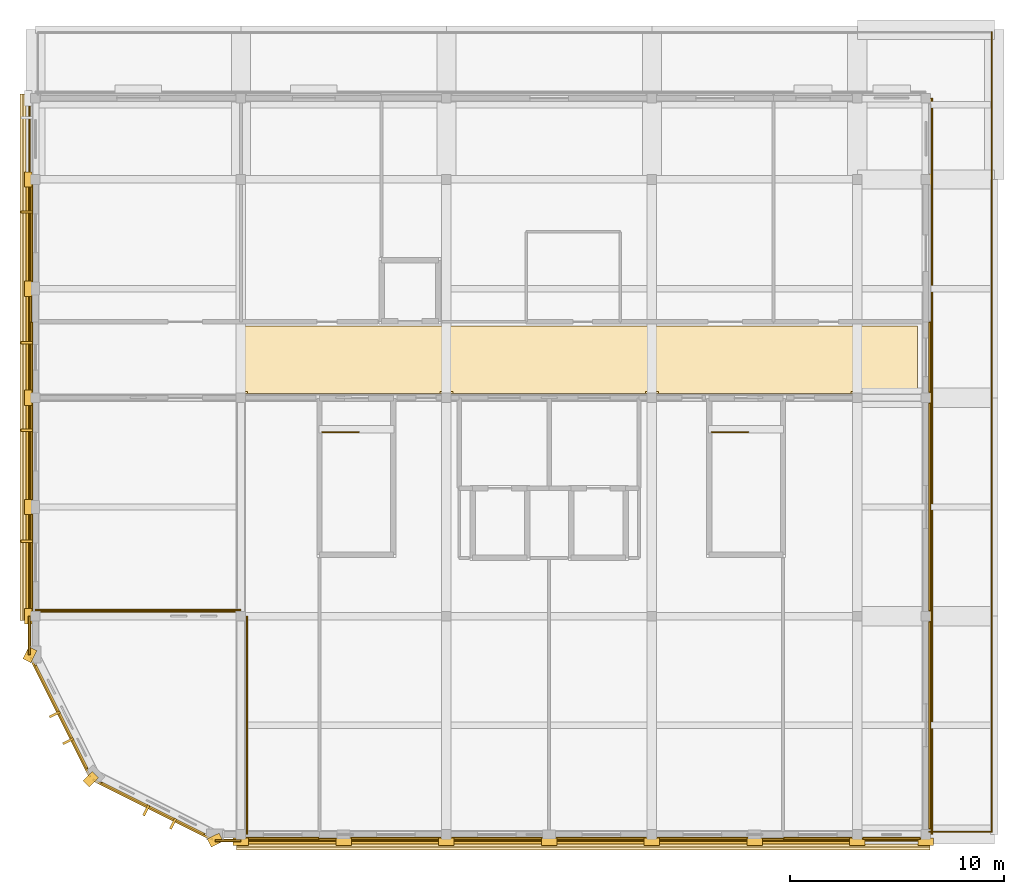
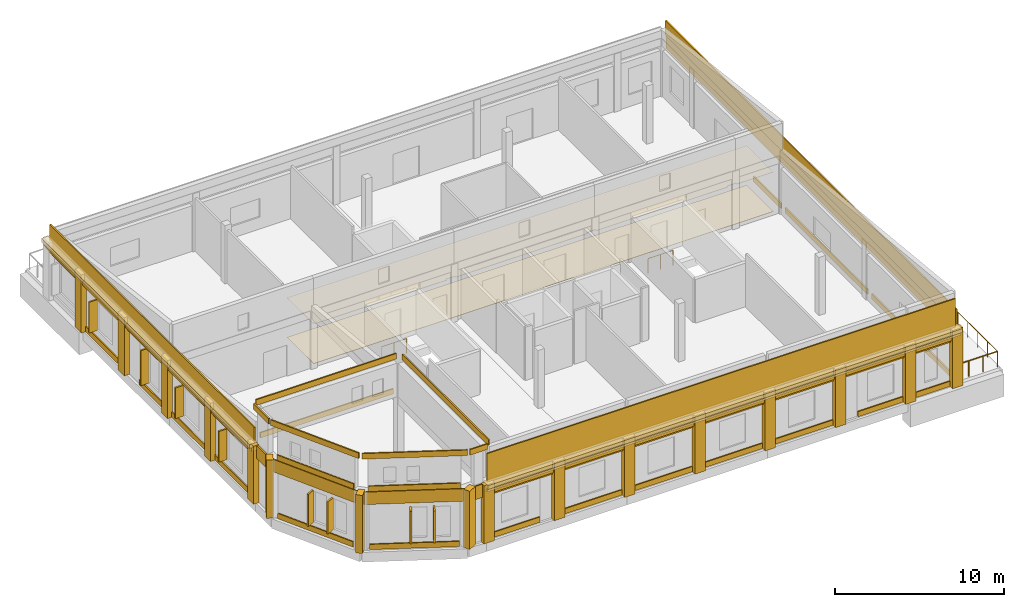
# One storey, part 7 of 8: 57 coverings, 8 shading devices, 4 railings.
"""IFC4 building model written with IfcOpenShell, lengths in metres."""

from ifc_helpers import new_model, si_unit, direction, frame, origin, origin_2d, place, context, subcontext, project, spatial, polyline, rectangle, circle, outline, extrude, material, layer, layer_set, type_object, element, save


model = new_model("IFC4")

# Units and contexts
model_context = context("Model", 3, precision=1e-05, world=origin(), true_north=direction((0.0, 1.0)))
body_context = subcontext(model_context, "Body", "Model", "MODEL_VIEW")
ifc_project = project(units=[si_unit("LENGTHUNIT", "METRE"), si_unit("AREAUNIT", "SQUARE_METRE"), si_unit("VOLUMEUNIT", "CUBIC_METRE"), si_unit("PLANEANGLEUNIT", "RADIAN"), si_unit("MASSUNIT", "GRAM", prefix="KILO")], contexts=[model_context])

# Site, building, storey
site_placement = place(None, origin())
site = spatial("IfcSite", under=ifc_project, at=site_placement, CompositionType="ELEMENT")
building_placement = place(site_placement, origin())
building = spatial("IfcBuilding", under=site, at=building_placement, Name="Vondelvale Polytechnic", CompositionType="ELEMENT")
storey_placement = place(building_placement, frame((0.0, 0.0, 30.60009765625)))
storey = spatial("IfcBuildingStorey", under=building, at=storey_placement, Name="L07", CompositionType="ELEMENT", Elevation=30.60009765625)

# Coverings
ifc_material_1 = material(Name="Amsterdam School iron-spot clinker clay brickwork", Category="masonry")
ifc_layer_1 = layer(ifc_material_1, 0.090087890625)
ifc_layer_set_1 = layer_set([ifc_layer_1], Name="COV-BRICK-RELIEF")
covering_type_1 = type_object("IfcCoveringType", Name="COV-BRICK-RELIEF", PredefinedType="CLADDING", material=ifc_layer_set_1)
covering_1_placement = place(storey_placement, frame((25.0, -0.264892578125, 3.239990234375), z_axis=(0.0, 0.0, 1.0), x_axis=(1.0, 0.0, 0.0)))
element("IfcCovering", 1, at=covering_1_placement, inside=storey, type_object=covering_type_1, Name="L07 exterior masonry spandrel band", PredefinedType="CLADDING", context=body_context, shape_type="SweptSolid", body=[
    extrude(rectangle(XDim=33.199951171875, YDim=0.090087890625, at=origin_2d()), origin(), (0.0, 0.0, 1.0), 0.9599609375),
])
covering_2_placement = place(storey_placement, frame((-0.264892578125, 21.39990234375, 3.239990234375), z_axis=(0.0, 0.0, 1.0), x_axis=(0.0, 1.0, 0.0)))
element("IfcCovering", 2, at=covering_2_placement, inside=storey, type_object=covering_type_1, Name="L07 exterior masonry spandrel band", PredefinedType="CLADDING", context=body_context, shape_type="SweptSolid", body=[
    extrude(rectangle(XDim=26.0, YDim=0.090087890625, at=origin_2d()), origin(), (0.0, 0.0, 1.0), 0.9599609375),
])
covering_3_placement = place(storey_placement, frame((41.864990234375, 17.199951171875, 3.239990234375), z_axis=(0.0, 0.0, 1.0), x_axis=(0.0, 1.0, 0.0)))
element("IfcCovering", 3, at=covering_3_placement, inside=storey, type_object=covering_type_1, Name="L07 exterior masonry spandrel band", PredefinedType="CLADDING", context=body_context, shape_type="SweptSolid", body=[
    extrude(rectangle(XDim=34.39990234375, YDim=0.090087890625, at=origin_2d()), origin(), (0.0, 0.0, 1.0), 0.9599609375),
])
for number, where, z_axis, x_axis, name in (
    (4, (5.4814453125, 1.1630859375, 3.300048828125), (0.0, 0.0, 1.0), (-0.89438856037, 0.447290848419, 0.0), "L07 exterior masonry spandrel band"),
    (5, (1.1630859375, 5.4814453125, 3.300048828125), (0.0, 0.0, 1.0), (-0.447290848419, 0.89438856037, 0.0), "L07 exterior masonry spandrel band"),
):
    element("IfcCovering", number, at=place(storey_placement, frame(where, z_axis=z_axis, x_axis=x_axis)), inside=storey, type_object=covering_type_1, Name=name, PredefinedType="CLADDING", context=body_context, shape_type="SweptSolid", body=[
        extrude(rectangle(XDim=6.260986328125, YDim=0.090087890625, at=origin_2d()), origin(), (0.0, 0.0, 1.0), 0.89990234375),
    ])
for number, where, z_axis, x_axis, name in (
    (6, (5.491943359375, 1.212646484375, 0.0), (0.0, 0.0, 1.0), (-0.89438856037, 0.447290848419, 0.0), "L07 exterior corbelled masonry relief band"),
    (7, (1.212646484375, 5.491943359375, 0.0), (0.0, 0.0, 1.0), (-0.447290848419, 0.89438856037, 0.0), "L07 exterior corbelled masonry relief band"),
):
    element("IfcCovering", number, at=place(storey_placement, frame(where, z_axis=z_axis, x_axis=x_axis)), inside=storey, type_object=covering_type_1, Name=name, PredefinedType="CLADDING", context=body_context, shape_type="SweptSolid", body=[
        extrude(rectangle(XDim=5.330078125, YDim=0.090087890625, at=origin_2d()), origin(), (0.0, 0.0, 1.0), 0.3798828125),
    ])
covering_4_placement = place(storey_placement, frame((11.550537109375, -0.180908203125, 0.0), z_axis=(0.0, 0.0, 1.0), x_axis=(-1.0, 0.0, 0.0)))
element("IfcCovering", 8, at=covering_4_placement, inside=storey, type_object=covering_type_1, Name="L07 exterior corbelled masonry relief band", PredefinedType="CLADDING", context=body_context, shape_type="SweptSolid", body=[
    extrude(rectangle(XDim=3.388916015625, YDim=0.090087890625, at=origin_2d()), origin(), (0.0, 0.0, 1.0), 0.3798828125),
])
for number, where, z_axis, x_axis, name in (
    (9, (16.83740234375, -0.180908203125, 0.0), (0.0, 0.0, 1.0), (-1.0, 0.0, 0.0), "L07 exterior corbelled masonry relief band"),
    (10, (21.5625, -0.180908203125, 0.0), (0.0, 0.0, 1.0), (-1.0, 0.0, 0.0), "L07 exterior corbelled masonry relief band"),
    (11, (26.4375, -0.180908203125, 0.0), (0.0, 0.0, 1.0), (-1.0, 0.0, 0.0), "L07 exterior corbelled masonry relief band"),
    (12, (31.16259765625, -0.180908203125, 0.0), (0.0, 0.0, 1.0), (-1.0, 0.0, 0.0), "L07 exterior corbelled masonry relief band"),
):
    element("IfcCovering", number, at=place(storey_placement, frame(where, z_axis=z_axis, x_axis=x_axis)), inside=storey, type_object=covering_type_1, Name=name, PredefinedType="CLADDING", context=body_context, shape_type="SweptSolid", body=[
        extrude(rectangle(XDim=4.212890625, YDim=0.090087890625, at=origin_2d()), origin(), (0.0, 0.0, 1.0), 0.3798828125),
    ])
covering_5_placement = place(storey_placement, frame((36.549560546875, -0.180908203125, 0.0), z_axis=(0.0, 0.0, 1.0), x_axis=(-1.0, 0.0, 0.0)))
element("IfcCovering", 13, at=covering_5_placement, inside=storey, type_object=covering_type_1, Name="L07 exterior corbelled masonry relief band", PredefinedType="CLADDING", context=body_context, shape_type="SweptSolid", body=[
    extrude(rectangle(XDim=3.18896484375, YDim=0.090087890625, at=origin_2d()), origin(), (0.0, 0.0, 1.0), 0.3798828125),
])
covering_6_placement = place(storey_placement, frame((40.0, -0.180908203125, 0.0), z_axis=(0.0, 0.0, 1.0), x_axis=(-1.0, 0.0, 0.0)))
element("IfcCovering", 14, at=covering_6_placement, inside=storey, type_object=covering_type_1, Name="L07 exterior corbelled masonry relief band", PredefinedType="CLADDING", context=body_context, shape_type="SweptSolid", body=[
    extrude(rectangle(XDim=2.68798828125, YDim=0.090087890625, at=origin_2d()), origin(), (0.0, 0.0, 1.0), 0.3798828125),
])
for number, where, z_axis, x_axis, name in (
    (15, (-0.180908203125, 12.71240234375, 0.0), (0.0, 0.0, 1.0), (0.0, 1.0, 0.0), "L07 exterior corbelled masonry relief band"),
    (16, (-0.180908203125, 17.887451171875, 0.0), (0.0, 0.0, 1.0), (0.0, 1.0, 0.0), "L07 exterior corbelled masonry relief band"),
):
    element("IfcCovering", number, at=place(storey_placement, frame(where, z_axis=z_axis, x_axis=x_axis)), inside=storey, type_object=covering_type_1, Name=name, PredefinedType="CLADDING", context=body_context, shape_type="SweptSolid", body=[
        extrude(rectangle(XDim=4.512939453125, YDim=0.090087890625, at=origin_2d()), origin(), (0.0, 0.0, 1.0), 0.3798828125),
    ])
covering_7_placement = place(storey_placement, frame((-0.180908203125, 22.2880859375, 0.0), z_axis=(0.0, 0.0, 1.0), x_axis=(0.0, 1.0, 0.0)))
element("IfcCovering", 17, at=covering_7_placement, inside=storey, type_object=covering_type_1, Name="L07 exterior corbelled masonry relief band", PredefinedType="CLADDING", context=body_context, shape_type="SweptSolid", body=[
    extrude(rectangle(XDim=3.263916015625, YDim=0.090087890625, at=origin_2d()), origin(), (0.0, 0.0, 1.0), 0.3798828125),
])
covering_8_placement = place(storey_placement, frame((-0.180908203125, 28.08740234375, 0.0), z_axis=(0.0, 0.0, 1.0), x_axis=(0.0, 1.0, 0.0)))
element("IfcCovering", 18, at=covering_8_placement, inside=storey, type_object=covering_type_1, Name="L07 exterior corbelled masonry relief band", PredefinedType="CLADDING", context=body_context, shape_type="SweptSolid", body=[
    extrude(rectangle(XDim=4.512939453125, YDim=0.090087890625, at=origin_2d()), origin(), (0.0, 0.0, 1.0), 0.3798828125),
])
for number, where, z_axis, x_axis, name in (
    (19, (41.781005859375, 5.10009765625, 0.0), (0.0, 0.0, 1.0), (0.0, -1.0, 0.0), "L07 exterior corbelled masonry relief band"),
    (20, (41.781005859375, 15.300048828125, 0.0), (0.0, 0.0, 1.0), (0.0, -1.0, 0.0), "L07 exterior corbelled masonry relief band"),
):
    element("IfcCovering", number, at=place(storey_placement, frame(where, z_axis=z_axis, x_axis=x_axis)), inside=storey, type_object=covering_type_1, Name=name, PredefinedType="CLADDING", context=body_context, shape_type="SweptSolid", body=[
        extrude(rectangle(XDim=9.68798828125, YDim=0.090087890625, at=origin_2d()), origin(), (0.0, 0.0, 1.0), 0.3798828125),
    ])
covering_9_placement = place(storey_placement, frame((41.781005859375, 22.2880859375, 0.0), z_axis=(0.0, 0.0, 1.0), x_axis=(0.0, -1.0, 0.0)))
element("IfcCovering", 21, at=covering_9_placement, inside=storey, type_object=covering_type_1, Name="L07 exterior corbelled masonry relief band", PredefinedType="CLADDING", context=body_context, shape_type="SweptSolid", body=[
    extrude(rectangle(XDim=3.263916015625, YDim=0.090087890625, at=origin_2d()), origin(), (0.0, 0.0, 1.0), 0.3798828125),
])
covering_10_placement = place(storey_placement, frame((9.0, -0.284912109375, 6.599853515625), z_axis=(0.0, 0.0, 1.0), x_axis=(1.0, 0.0, 0.0)))
element("IfcCovering", 22, at=covering_10_placement, inside=storey, type_object=covering_type_1, Name="L07 exterior masonry spandrel band", PredefinedType="CLADDING", context=body_context, shape_type="SweptSolid", body=[
    extrude(rectangle(XDim=1.199951171875, YDim=0.090087890625, at=origin_2d()), origin(), (0.0, 0.0, 1.0), 0.39990234375),
])
covering_11_placement = place(storey_placement, frame((9.885009765625, 5.10009765625, 6.599853515625), z_axis=(0.0, 0.0, 1.0), x_axis=(0.0, 1.0, 0.0)))
element("IfcCovering", 23, at=covering_11_placement, inside=storey, type_object=covering_type_1, Name="L07 exterior masonry spandrel band", PredefinedType="CLADDING", context=body_context, shape_type="SweptSolid", body=[
    extrude(rectangle(XDim=10.199951171875, YDim=0.090087890625, at=origin_2d()), origin(), (0.0, 0.0, 1.0), 0.39990234375),
])
covering_12_placement = place(storey_placement, frame((4.800048828125, 10.485107421875, 6.599853515625), z_axis=(0.0, 0.0, 1.0), x_axis=(-1.0, 0.0, 0.0)))
element("IfcCovering", 24, at=covering_12_placement, inside=storey, type_object=covering_type_1, Name="L07 exterior masonry spandrel band", PredefinedType="CLADDING", context=body_context, shape_type="SweptSolid", body=[
    extrude(rectangle(XDim=9.60009765625, YDim=0.090087890625, at=origin_2d()), origin(), (0.0, 0.0, 1.0), 0.39990234375),
])
covering_13_placement = place(storey_placement, frame((4.800048828125, 10.416015625, 4.199951171875), z_axis=(0.0, 0.0, 1.0), x_axis=(1.0, 0.0, 0.0)))
element("IfcCovering", 25, at=covering_13_placement, inside=storey, type_object=covering_type_1, Name="L07 exterior corbelled masonry relief band", PredefinedType="CLADDING", context=body_context, shape_type="SweptSolid", body=[
    extrude(rectangle(XDim=9.087890625, YDim=0.090087890625, at=origin_2d()), origin(), (0.0, 0.0, 1.0), 0.3798828125),
])
covering_14_placement = place(storey_placement, frame((-0.284912109375, 9.300048828125, 6.599853515625), z_axis=(0.0, 0.0, 1.0), x_axis=(0.0, -1.0, 0.0)))
element("IfcCovering", 26, at=covering_14_placement, inside=storey, type_object=covering_type_1, Name="L07 exterior masonry spandrel band", PredefinedType="CLADDING", context=body_context, shape_type="SweptSolid", body=[
    extrude(rectangle(XDim=1.800048828125, YDim=0.090087890625, at=origin_2d()), origin(), (0.0, 0.0, 1.0), 0.39990234375),
])
covering_15_placement = place(storey_placement, frame((1.14501953125, 5.472412109375, 6.599853515625), z_axis=(0.0, 0.0, 1.0), x_axis=(0.447290848419, -0.89438856037, 0.0)))
element("IfcCovering", 27, at=covering_15_placement, inside=storey, type_object=covering_type_1, Name="L07 exterior masonry spandrel band", PredefinedType="CLADDING", context=body_context, shape_type="SweptSolid", body=[
    extrude(rectangle(XDim=6.260986328125, YDim=0.090087890625, at=origin_2d()), origin(), (0.0, 0.0, 1.0), 0.39990234375),
])
covering_16_placement = place(storey_placement, frame((1.2119140625, 5.493408203125, 4.199951171875), z_axis=(0.0, 0.0, 1.0), x_axis=(-0.447134741355, 0.894466613728, 0.0)))
element("IfcCovering", 28, at=covering_16_placement, inside=storey, type_object=covering_type_1, Name="L07 exterior corbelled masonry relief band", PredefinedType="CLADDING", context=body_context, shape_type="SweptSolid", body=[
    extrude(rectangle(XDim=5.438720703125, YDim=0.090087890625, at=origin_2d()), origin(), (0.0, 0.0, 1.0), 0.3798828125),
])
covering_17_placement = place(storey_placement, frame((5.472412109375, 1.14501953125, 6.599853515625), z_axis=(0.0, 0.0, 1.0), x_axis=(0.89438856037, -0.447290848419, 0.0)))
element("IfcCovering", 29, at=covering_17_placement, inside=storey, type_object=covering_type_1, Name="L07 exterior masonry spandrel band", PredefinedType="CLADDING", context=body_context, shape_type="SweptSolid", body=[
    extrude(rectangle(XDim=6.260986328125, YDim=0.090087890625, at=origin_2d()), origin(), (0.0, 0.0, 1.0), 0.39990234375),
])
covering_18_placement = place(storey_placement, frame((5.493408203125, 1.2119140625, 4.199951171875), z_axis=(0.0, 0.0, 1.0), x_axis=(-0.894466613728, 0.447134741355, 0.0)))
element("IfcCovering", 30, at=covering_18_placement, inside=storey, type_object=covering_type_1, Name="L07 exterior corbelled masonry relief band", PredefinedType="CLADDING", context=body_context, shape_type="SweptSolid", body=[
    extrude(rectangle(XDim=5.438720703125, YDim=0.090087890625, at=origin_2d()), origin(), (0.0, 0.0, 1.0), 0.3798828125),
])
covering_19_placement = place(storey_placement, frame((25.60009765625, -0.22509765625, 4.19970703125), z_axis=(0.0, 0.0, 1.0), x_axis=(1.0, 0.0, 0.0)))
element("IfcCovering", 31, at=covering_19_placement, inside=storey, type_object=covering_type_1, Name="L07 exterior masonry spandrel band", PredefinedType="CLADDING", context=body_context, shape_type="SweptSolid", body=[
    extrude(rectangle(XDim=32.0, YDim=0.090087890625, at=origin_2d()), origin(), (0.0, 0.0, 1.0), 2.050048828125),
])
covering_20_placement = place(storey_placement, frame((41.824951171875, 17.199951171875, 4.19970703125), z_axis=(0.0, 0.0, 1.0), x_axis=(0.0, 1.0, 0.0)))
element("IfcCovering", 32, at=covering_20_placement, inside=storey, type_object=covering_type_1, Name="L07 exterior masonry spandrel band", PredefinedType="CLADDING", context=body_context, shape_type="SweptSolid", body=[
    extrude(rectangle(XDim=34.39990234375, YDim=0.090087890625, at=origin_2d()), origin(), (0.0, 0.0, 1.0), 1.050048828125),
])
covering_21_placement = place(storey_placement, frame((-0.22509765625, 22.300048828125, 4.19970703125), z_axis=(0.0, 0.0, 1.0), x_axis=(0.0, 1.0, 0.0)))
element("IfcCovering", 33, at=covering_21_placement, inside=storey, type_object=covering_type_1, Name="L07 exterior masonry spandrel band", PredefinedType="CLADDING", context=body_context, shape_type="SweptSolid", body=[
    extrude(rectangle(XDim=24.199951171875, YDim=0.090087890625, at=origin_2d()), origin(), (0.0, 0.0, 1.0), 1.050048828125),
])
for number, where, z_axis, x_axis, name in (
    (34, (9.60009765625, -0.340087890625, 0.0), (0.0, 0.0, 1.0), (1.0, 0.0, 0.0), "L07 Classical street pilaster"),
    (35, (14.39990234375, -0.340087890625, 0.0), (0.0, 0.0, 1.0), (1.0, 0.0, 0.0), "L07 Classical street pilaster"),
    (36, (19.199951171875, -0.340087890625, 0.0), (0.0, 0.0, 1.0), (1.0, 0.0, 0.0), "L07 Classical street pilaster"),
    (37, (24.0, -0.340087890625, 0.0), (0.0, 0.0, 1.0), (1.0, 0.0, 0.0), "L07 Classical street pilaster"),
    (38, (28.800048828125, -0.340087890625, 0.0), (0.0, 0.0, 1.0), (1.0, 0.0, 0.0), "L07 Classical street pilaster"),
    (39, (33.60009765625, -0.340087890625, 0.0), (0.0, 0.0, 1.0), (1.0, 0.0, 0.0), "L07 Classical street pilaster"),
    (40, (38.39990234375, -0.340087890625, 0.0), (0.0, 0.0, 1.0), (1.0, 0.0, 0.0), "L07 Classical street pilaster"),
    (41, (41.60009765625, -0.340087890625, 0.0), (0.0, 0.0, 1.0), (1.0, 0.0, 0.0), "L07 Classical street pilaster"),
):
    element("IfcCovering", number, at=place(storey_placement, frame(where, z_axis=z_axis, x_axis=x_axis)), inside=storey, type_object=covering_type_1, Name=name, PredefinedType="CLADDING", context=body_context, shape_type="SweptSolid", body=[
        extrude(rectangle(XDim=0.719970703125, YDim=0.360107421875, at=origin_2d()), origin(), (0.0, 0.0, 1.0), 4.199951171875),
    ])
for number, where, z_axis, x_axis, name in (
    (42, (-0.340087890625, 10.199951171875, 0.0), (0.0, 0.0, 1.0), (1.0, 0.0, 0.0), "L07 Classical street pilaster"),
    (43, (-0.340087890625, 15.300048828125, 0.0), (0.0, 0.0, 1.0), (1.0, 0.0, 0.0), "L07 Classical street pilaster"),
    (44, (-0.340087890625, 20.39990234375, 0.0), (0.0, 0.0, 1.0), (1.0, 0.0, 0.0), "L07 Classical street pilaster"),
    (45, (-0.340087890625, 25.5, 0.0), (0.0, 0.0, 1.0), (1.0, 0.0, 0.0), "L07 Classical street pilaster"),
    (46, (-0.340087890625, 30.60009765625, 0.0), (0.0, 0.0, 1.0), (1.0, 0.0, 0.0), "L07 Classical street pilaster"),
):
    element("IfcCovering", number, at=place(storey_placement, frame(where, z_axis=z_axis, x_axis=x_axis)), inside=storey, type_object=covering_type_1, Name=name, PredefinedType="CLADDING", context=body_context, shape_type="SweptSolid", body=[
        extrude(rectangle(XDim=0.360107421875, YDim=0.719970703125, at=origin_2d()), origin(), (0.0, 0.0, 1.0), 4.199951171875),
    ])
for number, where, z_axis, x_axis, name in (
    (47, (8.39990234375, -0.260009765625, 0.0), (0.0, 0.0, 1.0), (0.894934361602, 0.44619781311, 0.0), "L07 Amsterdam School turret buttress rib"),
    (48, (2.580078125, 2.580078125, 0.0), (0.0, 0.0, 1.0), (0.707106781187, 0.707106781187, 0.0), "L07 Amsterdam School turret buttress rib"),
    (49, (-0.260009765625, 8.39990234375, 0.0), (0.0, 0.0, 1.0), (0.44619781311, 0.894934361602, 0.0), "L07 Amsterdam School turret buttress rib"),
):
    element("IfcCovering", number, at=place(storey_placement, frame(where, z_axis=z_axis, x_axis=x_axis)), inside=storey, type_object=covering_type_1, Name=name, PredefinedType="CLADDING", context=body_context, shape_type="SweptSolid", body=[
        extrude(rectangle(XDim=0.6201171875, YDim=0.419921875, at=origin_2d()), origin(), (0.0, 0.0, 1.0), 4.199951171875),
    ])
covering_22_placement = place(storey_placement, frame((25.60009765625, -0.300048828125, 3.43994140625), z_axis=(0.0, 0.0, 1.0), x_axis=(1.0, 0.0, 0.0)))
element("IfcCovering", 50, at=covering_22_placement, inside=storey, type_object=covering_type_1, Name="L07 Classical projecting entablature cornice S-1", PredefinedType="CLADDING", context=body_context, shape_type="SweptSolid", body=[
    extrude(rectangle(XDim=32.39990234375, YDim=0.280029296875, at=origin_2d()), origin(), (0.0, 0.0, 1.0), 0.280029296875),
])
covering_23_placement = place(storey_placement, frame((-0.300048828125, 22.300048828125, 3.43994140625), z_axis=(0.0, 0.0, 1.0), x_axis=(1.0, 0.0, 0.0)))
element("IfcCovering", 51, at=covering_23_placement, inside=storey, type_object=covering_type_1, Name="L07 Classical projecting entablature cornice W-1", PredefinedType="CLADDING", context=body_context, shape_type="SweptSolid", body=[
    extrude(rectangle(XDim=0.280029296875, YDim=24.60009765625, at=origin_2d()), origin(), (0.0, 0.0, 1.0), 0.280029296875),
])
covering_24_placement = place(storey_placement, frame((25.60009765625, -0.3701171875, 3.7197265625), z_axis=(0.0, 0.0, 1.0), x_axis=(1.0, 0.0, 0.0)))
element("IfcCovering", 52, at=covering_24_placement, inside=storey, type_object=covering_type_1, Name="L07 Classical projecting entablature cornice S-2", PredefinedType="CLADDING", context=body_context, shape_type="SweptSolid", body=[
    extrude(rectangle(XDim=32.39990234375, YDim=0.419921875, at=origin_2d()), origin(), (0.0, 0.0, 1.0), 0.280029296875),
])
covering_25_placement = place(storey_placement, frame((-0.3701171875, 22.300048828125, 3.7197265625), z_axis=(0.0, 0.0, 1.0), x_axis=(1.0, 0.0, 0.0)))
element("IfcCovering", 53, at=covering_25_placement, inside=storey, type_object=covering_type_1, Name="L07 Classical projecting entablature cornice W-2", PredefinedType="CLADDING", context=body_context, shape_type="SweptSolid", body=[
    extrude(rectangle(XDim=0.419921875, YDim=24.60009765625, at=origin_2d()), origin(), (0.0, 0.0, 1.0), 0.280029296875),
])
covering_26_placement = place(storey_placement, frame((25.60009765625, -0.43994140625, 4.0), z_axis=(0.0, 0.0, 1.0), x_axis=(1.0, 0.0, 0.0)))
element("IfcCovering", 54, at=covering_26_placement, inside=storey, type_object=covering_type_1, Name="L07 Classical projecting entablature cornice S-3", PredefinedType="CLADDING", context=body_context, shape_type="SweptSolid", body=[
    extrude(rectangle(XDim=32.39990234375, YDim=0.56005859375, at=origin_2d()), origin(), (0.0, 0.0, 1.0), 0.280029296875),
])
covering_27_placement = place(storey_placement, frame((-0.43994140625, 22.300048828125, 4.0), z_axis=(0.0, 0.0, 1.0), x_axis=(1.0, 0.0, 0.0)))
element("IfcCovering", 55, at=covering_27_placement, inside=storey, type_object=covering_type_1, Name="L07 Classical projecting entablature cornice W-3", PredefinedType="CLADDING", context=body_context, shape_type="SweptSolid", body=[
    extrude(rectangle(XDim=0.56005859375, YDim=24.60009765625, at=origin_2d()), origin(), (0.0, 0.0, 1.0), 0.280029296875),
])
ifc_material_2 = material(Name="Perforated acoustic mineral-fibre and timber-batten ceiling", Category="wood")
ifc_layer_2 = layer(ifc_material_2, 0.030029296875)
ifc_layer_set_2 = layer_set([ifc_layer_2], Name="COV-CEIL-ACOUSTIC")
covering_type_2 = type_object("IfcCoveringType", Name="COV-CEIL-ACOUSTIC", PredefinedType="CEILING", material=ifc_layer_set_2)
covering_28_placement = place(storey_placement, frame((0.0, 0.0, 2.849853515625)))
element("IfcCovering", 56, at=covering_28_placement, inside=storey, type_object=covering_type_2, Name="L07 corridor acoustic baffle ceiling", PredefinedType="CEILING", context=body_context, shape_type="SweptSolid", body=[
    extrude(outline(polyline([(9.905029296875, 20.60009765625), (9.905029296875, 20.705078125), (9.800048828125, 20.705078125), (9.800048828125, 23.75), (41.199951171875, 23.75), (41.199951171875, 20.60009765625), (38.705078125, 20.60009765625), (38.705078125, 20.705078125), (38.094970703125, 20.705078125), (38.094970703125, 20.60009765625), (29.10498046875, 20.60009765625), (29.10498046875, 20.705078125), (28.4951171875, 20.705078125), (28.4951171875, 20.60009765625), (19.5048828125, 20.60009765625), (19.5048828125, 20.705078125), (18.89501953125, 20.705078125), (18.89501953125, 20.60009765625), (9.905029296875, 20.60009765625)])), origin(), (0.0, 0.0, 1.0), 0.030029296875),
])
ifc_material_3 = material(Name="Engineered Tasmanian oak studio and bridge joinery")
ifc_layer_3 = layer(ifc_material_3, 0.02197265625)
ifc_layer_set_3 = layer_set([ifc_layer_3], Name="COV-FLOOR-OAK")
covering_type_3 = type_object("IfcCoveringType", Name="COV-FLOOR-OAK", PredefinedType="FLOORING", material=ifc_layer_set_3)
covering_29_placement = place(storey_placement, origin())
element("IfcCovering", 57, at=covering_29_placement, inside=storey, type_object=covering_type_3, Name="L07 architectural floor finish", PredefinedType="FLOORING", context=body_context, shape_type="SweptSolid", body=[
    extrude(outline(polyline([(9.800048828125, 20.60009765625), (41.199951171875, 20.60009765625), (41.199951171875, 23.75), (9.800048828125, 23.75), (9.800048828125, 20.60009765625)])), origin(), (0.0, 0.0, 1.0), 0.02490234375),
])

# Railings
ifc_material_4 = material(Name="Brushed architectural stainless and zinc-coated metal")
ifc_layer_4 = layer(ifc_material_4, 0.050048828125)
ifc_layer_set_4 = layer_set([ifc_layer_4], Name="RL-STAIR-GUARD")
railing_type_1 = type_object("IfcRailingType", Name="RL-STAIR-GUARD", PredefinedType="GUARDRAIL", material=ifc_layer_set_4)
railing_1_placement = place(storey_placement, frame((13.39990234375, 18.800048828125, 0.0)))
element("IfcRailing", 58, at=railing_1_placement, inside=storey, type_object=railing_type_1, Name="L07 ST-03 top well guard 1", PredefinedType="GUARDRAIL", context=body_context, shape_type="SweptSolid", body=[
    extrude(circle(Radius=0.02392578125, at=origin_2d()), frame((0.0, 0.0, 1.076171875), z_axis=(1.0, 0.0, 0.0), x_axis=(0.0, 1.0, 0.0)), (0.0, 0.0, 1.0), 1.7001953125),
    extrude(circle(Radius=0.02099609375, at=origin_2d()), origin(), (0.0, 0.0, 1.0), 1.052001953125),
    extrude(circle(Radius=0.02099609375, at=origin_2d()), frame((0.85009765625, 0.0, 0.0)), (0.0, 0.0, 1.0), 1.052001953125),
    extrude(circle(Radius=0.02099609375, at=origin_2d()), frame((1.7001953125, 0.0, 0.0)), (0.0, 0.0, 1.0), 1.052001953125),
])
railing_2_placement = place(storey_placement, frame((31.60009765625, 18.800048828125, 0.0)))
element("IfcRailing", 59, at=railing_2_placement, inside=storey, type_object=railing_type_1, Name="L07 ST-04 top well guard 1", PredefinedType="GUARDRAIL", context=body_context, shape_type="SweptSolid", body=[
    extrude(circle(Radius=0.02392578125, at=origin_2d()), frame((0.0, 0.0, 1.076171875), z_axis=(1.0, 0.0, 0.0), x_axis=(0.0, 1.0, 0.0)), (0.0, 0.0, 1.0), 1.699951171875),
    extrude(circle(Radius=0.02099609375, at=origin_2d()), origin(), (0.0, 0.0, 1.0), 1.052001953125),
    extrude(circle(Radius=0.02099609375, at=origin_2d()), frame((0.85009765625, 0.0, 0.0)), (0.0, 0.0, 1.0), 1.052001953125),
    extrude(circle(Radius=0.02099609375, at=origin_2d()), frame((1.699951171875, 0.0, 0.0)), (0.0, 0.0, 1.0), 1.052001953125),
])
ifc_layer_5 = layer(ifc_material_4, 0.070068359375)
ifc_layer_set_5 = layer_set([ifc_layer_5], Name="RL-TERRACE-1150")
railing_type_2 = type_object("IfcRailingType", Name="RL-TERRACE-1150", PredefinedType="BALUSTRADE", material=ifc_layer_set_5)
railing_3_placement = place(storey_placement, frame((41.75, 0.1201171875, 0.0)))
element("IfcRailing", 60, at=railing_3_placement, inside=storey, type_object=railing_type_2, Name="L07 courtyard terrace guardrail", PredefinedType="BALUSTRADE", context=body_context, shape_type="SweptSolid", body=[
    extrude(circle(Radius=0.02392578125, at=origin_2d()), frame((0.0, 0.0, 1.1259765625), z_axis=(1.0, 0.0, 0.0), x_axis=(0.0, 1.0, 0.0)), (0.0, 0.0, 1.0), 2.929931640625),
    extrude(circle(Radius=0.02099609375, at=origin_2d()), origin(), (0.0, 0.0, 1.0), 1.101806640625),
    extrude(circle(Radius=0.02099609375, at=origin_2d()), frame((0.9765625, 0.0, 0.0)), (0.0, 0.0, 1.0), 1.101806640625),
    extrude(circle(Radius=0.02099609375, at=origin_2d()), frame((1.953369140625, 0.0, 0.0)), (0.0, 0.0, 1.0), 1.101806640625),
    extrude(circle(Radius=0.02099609375, at=origin_2d()), frame((2.929931640625, 0.0, 0.0)), (0.0, 0.0, 1.0), 1.101806640625),
])
railing_4_placement = place(storey_placement, frame((44.679931640625, 0.1201171875, 0.0)))
element("IfcRailing", 61, at=railing_4_placement, inside=storey, type_object=railing_type_2, Name="L07 courtyard terrace guardrail", PredefinedType="BALUSTRADE", context=body_context, shape_type="SweptSolid", body=[
    extrude(circle(Radius=0.02392578125, at=origin_2d()), frame((0.0, 0.0, 1.1259765625), z_axis=(0.0, 1.0, 0.0), x_axis=(-1.0, 0.0, 0.0)), (0.0, 0.0, 1.0), 37.35986328125),
    extrude(circle(Radius=0.02099609375, at=origin_2d()), origin(), (0.0, 0.0, 1.0), 1.101806640625),
    extrude(circle(Radius=0.02099609375, at=origin_2d()), frame((0.0, 1.16748046875, 0.0)), (0.0, 0.0, 1.0), 1.101806640625),
    extrude(circle(Radius=0.02099609375, at=origin_2d()), frame((0.0, 2.3349609375, 0.0)), (0.0, 0.0, 1.0), 1.101806640625),
    extrude(circle(Radius=0.02099609375, at=origin_2d()), frame((0.0, 3.50244140625, 0.0)), (0.0, 0.0, 1.0), 1.101806640625),
    extrude(circle(Radius=0.02099609375, at=origin_2d()), frame((0.0, 4.669921875, 0.0)), (0.0, 0.0, 1.0), 1.101806640625),
    extrude(circle(Radius=0.02099609375, at=origin_2d()), frame((0.0, 5.83740234375, 0.0)), (0.0, 0.0, 1.0), 1.101806640625),
    extrude(circle(Radius=0.02099609375, at=origin_2d()), frame((0.0, 7.0048828125, 0.0)), (0.0, 0.0, 1.0), 1.101806640625),
    extrude(circle(Radius=0.02099609375, at=origin_2d()), frame((0.0, 8.17236328125, 0.0)), (0.0, 0.0, 1.0), 1.101806640625),
    extrude(circle(Radius=0.02099609375, at=origin_2d()), frame((0.0, 9.33984375, 0.0)), (0.0, 0.0, 1.0), 1.101806640625),
    extrude(circle(Radius=0.02099609375, at=origin_2d()), frame((0.0, 10.507568359375, 0.0)), (0.0, 0.0, 1.0), 1.101806640625),
    extrude(circle(Radius=0.02099609375, at=origin_2d()), frame((0.0, 11.675048828125, 0.0)), (0.0, 0.0, 1.0), 1.101806640625),
    extrude(circle(Radius=0.02099609375, at=origin_2d()), frame((0.0, 12.842529296875, 0.0)), (0.0, 0.0, 1.0), 1.101806640625),
    extrude(circle(Radius=0.02099609375, at=origin_2d()), frame((0.0, 14.010009765625, 0.0)), (0.0, 0.0, 1.0), 1.101806640625),
    extrude(circle(Radius=0.02099609375, at=origin_2d()), frame((0.0, 15.177490234375, 0.0)), (0.0, 0.0, 1.0), 1.101806640625),
    extrude(circle(Radius=0.02099609375, at=origin_2d()), frame((0.0, 16.344970703125, 0.0)), (0.0, 0.0, 1.0), 1.101806640625),
    extrude(circle(Radius=0.02099609375, at=origin_2d()), frame((0.0, 17.512451171875, 0.0)), (0.0, 0.0, 1.0), 1.101806640625),
    extrude(circle(Radius=0.02099609375, at=origin_2d()), frame((0.0, 18.679931640625, 0.0)), (0.0, 0.0, 1.0), 1.101806640625),
    extrude(circle(Radius=0.02099609375, at=origin_2d()), frame((0.0, 19.847412109375, 0.0)), (0.0, 0.0, 1.0), 1.101806640625),
    extrude(circle(Radius=0.02099609375, at=origin_2d()), frame((0.0, 21.014892578125, 0.0)), (0.0, 0.0, 1.0), 1.101806640625),
    extrude(circle(Radius=0.02099609375, at=origin_2d()), frame((0.0, 22.182373046875, 0.0)), (0.0, 0.0, 1.0), 1.101806640625),
    extrude(circle(Radius=0.02099609375, at=origin_2d()), frame((0.0, 23.349853515625, 0.0)), (0.0, 0.0, 1.0), 1.101806640625),
    extrude(circle(Radius=0.02099609375, at=origin_2d()), frame((0.0, 24.517333984375, 0.0)), (0.0, 0.0, 1.0), 1.101806640625),
    extrude(circle(Radius=0.02099609375, at=origin_2d()), frame((0.0, 25.684814453125, 0.0)), (0.0, 0.0, 1.0), 1.101806640625),
    extrude(circle(Radius=0.02099609375, at=origin_2d()), frame((0.0, 26.852294921875, 0.0)), (0.0, 0.0, 1.0), 1.101806640625),
    extrude(circle(Radius=0.02099609375, at=origin_2d()), frame((0.0, 28.02001953125, 0.0)), (0.0, 0.0, 1.0), 1.101806640625),
    extrude(circle(Radius=0.02099609375, at=origin_2d()), frame((0.0, 29.1875, 0.0)), (0.0, 0.0, 1.0), 1.101806640625),
    extrude(circle(Radius=0.02099609375, at=origin_2d()), frame((0.0, 30.35498046875, 0.0)), (0.0, 0.0, 1.0), 1.101806640625),
    extrude(circle(Radius=0.02099609375, at=origin_2d()), frame((0.0, 31.5224609375, 0.0)), (0.0, 0.0, 1.0), 1.101806640625),
    extrude(circle(Radius=0.02099609375, at=origin_2d()), frame((0.0, 32.68994140625, 0.0)), (0.0, 0.0, 1.0), 1.101806640625),
    extrude(circle(Radius=0.02099609375, at=origin_2d()), frame((0.0, 33.857421875, 0.0)), (0.0, 0.0, 1.0), 1.101806640625),
    extrude(circle(Radius=0.02099609375, at=origin_2d()), frame((0.0, 35.02490234375, 0.0)), (0.0, 0.0, 1.0), 1.101806640625),
    extrude(circle(Radius=0.02099609375, at=origin_2d()), frame((0.0, 36.1923828125, 0.0)), (0.0, 0.0, 1.0), 1.101806640625),
    extrude(circle(Radius=0.02099609375, at=origin_2d()), frame((0.0, 37.35986328125, 0.0)), (0.0, 0.0, 1.0), 1.101806640625),
])

# Shading devices
ifc_material_5 = material(Name="Kiln-fired architectural terracotta", Category="masonry")
shading_device_type = type_object("IfcShadingDeviceType", Name="SHD-TERRA-FIN-550", PredefinedType="JALOUSIE", material=ifc_material_5)
for number, where, z_axis, x_axis, name in (
    (62, (6.427001953125, 0.5, 0.6396484375), (0.0, 0.0, 1.0), (-0.89438856037, 0.447290848419, 0.0), "L07 vertical terracotta solar fin"),
    (63, (5.1748046875, 1.126220703125, 0.6396484375), (0.0, 0.0, 1.0), (-0.89438856037, 0.447290848419, 0.0), "L07 vertical terracotta solar fin"),
    (64, (1.533203125, 4.361083984375, 0.6396484375), (0.0, 0.0, 1.0), (-0.447290848419, 0.89438856037, 0.0), "L07 vertical terracotta solar fin"),
    (65, (0.906982421875, 5.613037109375, 0.6396484375), (0.0, 0.0, 1.0), (-0.447290848419, 0.89438856037, 0.0), "L07 vertical terracotta solar fin"),
):
    element("IfcShadingDevice", number, at=place(storey_placement, frame(where, z_axis=z_axis, x_axis=x_axis)), inside=storey, type_object=shading_device_type, Name=name, PredefinedType="JALOUSIE", context=body_context, shape_type="SweptSolid", body=[
        extrude(rectangle(XDim=0.110107421875, YDim=0.550048828125, at=origin_2d()), origin(), (0.0, 0.0, 1.0), 2.320068359375),
    ])
for number, where, z_axis, x_axis, name in (
    (66, (-0.39990234375, 13.702392578125, 0.7900390625), (0.0, 0.0, 1.0), (0.0, 1.0, 0.0), "L07 vertical terracotta solar fin"),
    (67, (-0.39990234375, 18.87744140625, 0.7900390625), (0.0, 0.0, 1.0), (0.0, 1.0, 0.0), "L07 vertical terracotta solar fin"),
):
    element("IfcShadingDevice", number, at=place(storey_placement, frame(where, z_axis=z_axis, x_axis=x_axis)), inside=storey, type_object=shading_device_type, Name=name, PredefinedType="JALOUSIE", context=body_context, shape_type="SweptSolid", body=[
        extrude(rectangle(XDim=0.110107421875, YDim=0.550048828125, at=origin_2d()), origin(), (0.0, 0.0, 1.0), 2.219970703125),
    ])
shading_device_1_placement = place(storey_placement, frame((-0.39990234375, 22.97802734375, 0.68994140625), z_axis=(0.0, 0.0, 1.0), x_axis=(0.0, 1.0, 0.0)))
element("IfcShadingDevice", 68, at=shading_device_1_placement, inside=storey, type_object=shading_device_type, Name="L07 vertical terracotta solar fin", PredefinedType="JALOUSIE", context=body_context, shape_type="SweptSolid", body=[
    extrude(rectangle(XDim=0.110107421875, YDim=0.550048828125, at=origin_2d()), origin(), (0.0, 0.0, 1.0), 2.52001953125),
])
shading_device_2_placement = place(storey_placement, frame((-0.39990234375, 29.077392578125, 0.7900390625), z_axis=(0.0, 0.0, 1.0), x_axis=(0.0, 1.0, 0.0)))
element("IfcShadingDevice", 69, at=shading_device_2_placement, inside=storey, type_object=shading_device_type, Name="L07 vertical terracotta solar fin", PredefinedType="JALOUSIE", context=body_context, shape_type="SweptSolid", body=[
    extrude(rectangle(XDim=0.110107421875, YDim=0.550048828125, at=origin_2d()), origin(), (0.0, 0.0, 1.0), 2.219970703125),
])

save(model, "model.ifc")
